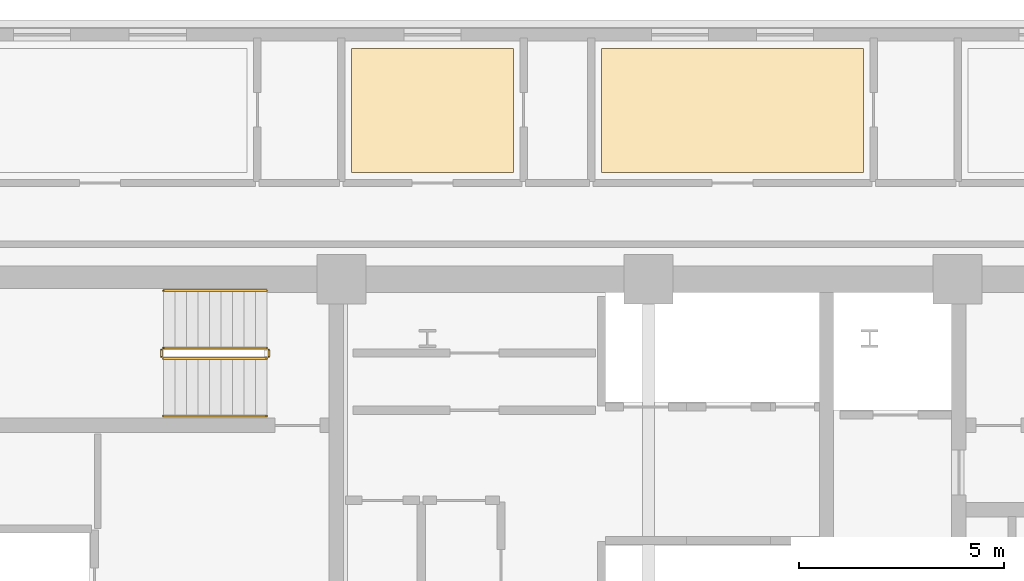
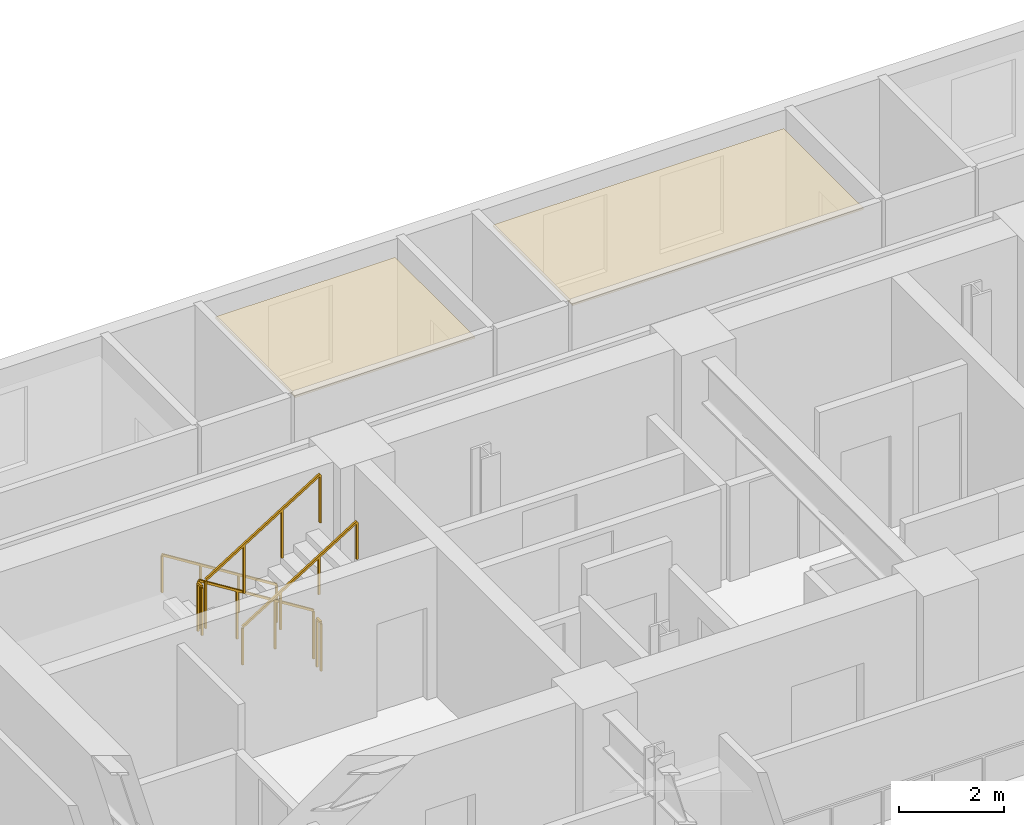
# One storey, part 14 of 15: 6 railings, 2 coverings.
"""IFC4 building model written with IfcOpenShell, lengths in metres."""

from ifc_helpers import new_model, si_unit, direction, frame, origin, origin_2d, place, context, subcontext, project, spatial, polyline, rectangle, outline, extrude, material, layer, layer_set, type_object, element, save


model = new_model("IFC4")

# Units and contexts
model_context = context("Model", 3, precision=1e-05, world=origin(), true_north=direction((0.0, 1.0)))
body_context = subcontext(model_context, "Body", "Model", "MODEL_VIEW")
ifc_project = project(units=[si_unit("LENGTHUNIT", "METRE"), si_unit("AREAUNIT", "SQUARE_METRE"), si_unit("VOLUMEUNIT", "CUBIC_METRE"), si_unit("PLANEANGLEUNIT", "RADIAN"), si_unit("MASSUNIT", "GRAM", prefix="KILO")], contexts=[model_context])

# Site, building, storey
site_placement = place(None, origin())
site = spatial("IfcSite", under=ifc_project, at=site_placement, CompositionType="ELEMENT")
building_placement = place(site_placement, origin())
building = spatial("IfcBuilding", under=site, at=building_placement, Name="Zarnavel Station Tower", CompositionType="ELEMENT")
storey_placement = place(building_placement, frame((0.0, 0.0, 115.300048828125)))
storey = spatial("IfcBuildingStorey", under=building, at=storey_placement, Name="L31", CompositionType="ELEMENT", Elevation=115.300048828125)

# Coverings
ifc_material_1 = material(Name="Perforated Gypsum and Mineral-Wool Acoustic Ceiling", Category="concrete")
ifc_layer = layer(ifc_material_1, 0.0400390625)
ifc_layer_set = layer_set([ifc_layer], Name="COV_CEIL_ACOUSTIC")
covering_type = type_object("IfcCoveringType", Name="COV_CEIL_ACOUSTIC", PredefinedType="CEILING", material=ifc_layer_set)
covering_1_placement = place(storey_placement, frame((0.0, 0.0, 2.919921875)))
element("IfcCovering", 1, at=covering_1_placement, inside=storey, type_object=covering_type, Name="L31 HN2R Acoustic Ceiling", PredefinedType="CEILING", context=body_context, shape_type="SweptSolid", body=[
    extrude(outline(polyline([(21.550048828125, 39.64990234375), (25.50390625, 39.64990234375), (25.50390625, 42.68994140625), (21.550048828125, 42.68994140625), (21.550048828125, 39.64990234375)])), origin(), (0.0, 0.0, 1.0), 0.0400390625),
])
covering_2_placement = place(storey_placement, frame((0.0, 0.0, 2.919921875)))
element("IfcCovering", 2, at=covering_2_placement, inside=storey, type_object=covering_type, Name="L31 HN3R Acoustic Ceiling", PredefinedType="CEILING", context=body_context, shape_type="SweptSolid", body=[
    extrude(outline(polyline([(27.654052734375, 39.64990234375), (34.050048828125, 39.64990234375), (34.050048828125, 42.68994140625), (27.654052734375, 42.68994140625), (27.654052734375, 39.64990234375)])), origin(), (0.0, 0.0, 1.0), 0.0400390625),
])

# Railings
ifc_material_2 = material(Name="Painted Steel S355J2 Balustrade", Category="steel")
railing_type_1 = type_object("IfcRailingType", Name="GR_INT_1150", PredefinedType="GUARDRAIL", material=ifc_material_2)
railing_1_placement = place(storey_placement, frame((19.47998046875, 35.3701171875, 0.175048828125)))
element("IfcRailing", 3, at=railing_1_placement, inside=storey, type_object=railing_type_1, Name="L31 ST1 stair guard 1", PredefinedType="GUARDRAIL", context=body_context, shape_type="SweptSolid", body=[
    extrude(rectangle(XDim=0.048095703125, YDim=0.048095703125, at=origin_2d()), frame((-0.001708984375, 0.0, 1.126953125), z_axis=(-0.848007534815, 0.0, 0.529984170421), x_axis=(0.0, -1.0, 0.0)), (0.0, 0.0, 1.0), 2.9677734375),
    extrude(rectangle(XDim=0.0419921875, YDim=0.0419921875, at=origin_2d()), origin(), (0.0, 0.0, 1.0), 1.101806640625),
    extrude(rectangle(XDim=0.0419921875, YDim=0.0419921875, at=origin_2d()), frame((-0.840087890625, 0.0, 0.52490234375)), (0.0, 0.0, 1.0), 1.101806640625),
    extrude(rectangle(XDim=0.0419921875, YDim=0.0419921875, at=origin_2d()), frame((-1.679931640625, 0.0, 1.050048828125)), (0.0, 0.0, 1.0), 1.101806640625),
    extrude(rectangle(XDim=0.0419921875, YDim=0.0419921875, at=origin_2d()), frame((-2.52001953125, 0.0, 1.574951171875)), (0.0, 0.0, 1.0), 1.101806640625),
])
railing_2_placement = place(storey_placement, frame((16.909912109375, 35.320068359375, 1.75)))
element("IfcRailing", 4, at=railing_2_placement, inside=storey, type_object=railing_type_1, Name="L31 ST1 stair guard 2", PredefinedType="GUARDRAIL", context=body_context, shape_type="SweptSolid", body=[
    extrude(rectangle(XDim=0.048095703125, YDim=0.048095703125, at=origin_2d()), frame((0.0, -0.001953125, 1.1259765625), z_axis=(0.0, -1.0, 0.0), x_axis=(1.0, 0.0, 0.0)), (0.0, 0.0, 1.0), 0.15625),
    extrude(rectangle(XDim=0.0419921875, YDim=0.0419921875, at=origin_2d()), origin(), (0.0, 0.0, 1.0), 1.101806640625),
    extrude(rectangle(XDim=0.0419921875, YDim=0.0419921875, at=origin_2d()), frame((0.0, -0.16015625, 0.0)), (0.0, 0.0, 1.0), 1.101806640625),
])
railing_3_placement = place(storey_placement, frame((16.9599609375, 35.110107421875, 1.925048828125)))
element("IfcRailing", 5, at=railing_3_placement, inside=storey, type_object=railing_type_1, Name="L31 ST1 stair guard 3", PredefinedType="GUARDRAIL", context=body_context, shape_type="SweptSolid", body=[
    extrude(rectangle(XDim=0.048095703125, YDim=0.048095703125, at=origin_2d()), frame((0.001708984375, 0.0, 1.126953125), z_axis=(0.848007534815, 0.0, 0.529984170421), x_axis=(0.0, 1.0, 0.0)), (0.0, 0.0, 1.0), 2.9677734375),
    extrude(rectangle(XDim=0.0419921875, YDim=0.0419921875, at=origin_2d()), origin(), (0.0, 0.0, 1.0), 1.101806640625),
    extrude(rectangle(XDim=0.0419921875, YDim=0.0419921875, at=origin_2d()), frame((0.840087890625, 0.0, 0.52490234375)), (0.0, 0.0, 1.0), 1.101806640625),
    extrude(rectangle(XDim=0.0419921875, YDim=0.0419921875, at=origin_2d()), frame((1.679931640625, 0.0, 1.050048828125)), (0.0, 0.0, 1.0), 1.101806640625),
    extrude(rectangle(XDim=0.0419921875, YDim=0.0419921875, at=origin_2d()), frame((2.52001953125, 0.0, 1.574951171875)), (0.0, 0.0, 1.0), 1.101806640625),
])
railing_4_placement = place(storey_placement, frame((19.530029296875, 35.320068359375, 0.0)))
element("IfcRailing", 6, at=railing_4_placement, inside=storey, type_object=railing_type_1, Name="L31 ST1 stair guard 4", PredefinedType="GUARDRAIL", context=body_context, shape_type="SweptSolid", body=[
    extrude(rectangle(XDim=0.048095703125, YDim=0.048095703125, at=origin_2d()), frame((0.0, -0.001953125, 1.1259765625), z_axis=(0.0, -1.0, 0.0), x_axis=(1.0, 0.0, 0.0)), (0.0, 0.0, 1.0), 0.15625),
    extrude(rectangle(XDim=0.0419921875, YDim=0.0419921875, at=origin_2d()), origin(), (0.0, 0.0, 1.0), 1.101806640625),
    extrude(rectangle(XDim=0.0419921875, YDim=0.0419921875, at=origin_2d()), frame((0.0, -0.16015625, 0.0)), (0.0, 0.0, 1.0), 1.101806640625),
])
ifc_material_3 = material(Name="Brushed Stainless Steel S355J2 Handrail", Category="steel")
railing_type_2 = type_object("IfcRailingType", Name="HR_STAIR_900", PredefinedType="HANDRAIL", material=ifc_material_3)
railing_5_placement = place(storey_placement, frame((19.47998046875, 36.77001953125, 0.175048828125)))
element("IfcRailing", 7, at=railing_5_placement, inside=storey, type_object=railing_type_2, Name="L31 ST1 stair handrail 1", PredefinedType="HANDRAIL", context=body_context, shape_type="SweptSolid", body=[
    extrude(rectangle(XDim=0.048095703125, YDim=0.048095703125, at=origin_2d()), frame((-0.001708984375, 0.0, 0.876953125), z_axis=(-0.848007534815, 0.0, 0.529984170421), x_axis=(0.0, -1.0, 0.0)), (0.0, 0.0, 1.0), 2.9677734375),
    extrude(rectangle(XDim=0.0419921875, YDim=0.0419921875, at=origin_2d()), origin(), (0.0, 0.0, 1.0), 0.851806640625),
    extrude(rectangle(XDim=0.0419921875, YDim=0.0419921875, at=origin_2d()), frame((-0.840087890625, 0.0, 0.52490234375)), (0.0, 0.0, 1.0), 0.851806640625),
    extrude(rectangle(XDim=0.0419921875, YDim=0.0419921875, at=origin_2d()), frame((-1.679931640625, 0.0, 1.050048828125)), (0.0, 0.0, 1.0), 0.851806640625),
    extrude(rectangle(XDim=0.0419921875, YDim=0.0419921875, at=origin_2d()), frame((-2.52001953125, 0.0, 1.574951171875)), (0.0, 0.0, 1.0), 0.851806640625),
])
railing_6_placement = place(storey_placement, frame((16.9599609375, 33.7099609375, 1.925048828125)))
element("IfcRailing", 8, at=railing_6_placement, inside=storey, type_object=railing_type_2, Name="L31 ST1 stair handrail 2", PredefinedType="HANDRAIL", context=body_context, shape_type="SweptSolid", body=[
    extrude(rectangle(XDim=0.048095703125, YDim=0.048095703125, at=origin_2d()), frame((0.001708984375, 0.0, 0.876953125), z_axis=(0.848007534815, 0.0, 0.529984170421), x_axis=(0.0, 1.0, 0.0)), (0.0, 0.0, 1.0), 2.9677734375),
    extrude(rectangle(XDim=0.0419921875, YDim=0.0419921875, at=origin_2d()), origin(), (0.0, 0.0, 1.0), 0.851806640625),
    extrude(rectangle(XDim=0.0419921875, YDim=0.0419921875, at=origin_2d()), frame((0.840087890625, 0.0, 0.52490234375)), (0.0, 0.0, 1.0), 0.851806640625),
    extrude(rectangle(XDim=0.0419921875, YDim=0.0419921875, at=origin_2d()), frame((1.679931640625, 0.0, 1.050048828125)), (0.0, 0.0, 1.0), 0.851806640625),
    extrude(rectangle(XDim=0.0419921875, YDim=0.0419921875, at=origin_2d()), frame((2.52001953125, 0.0, 1.574951171875)), (0.0, 0.0, 1.0), 0.851806640625),
])

save(model, "model.ifc")
